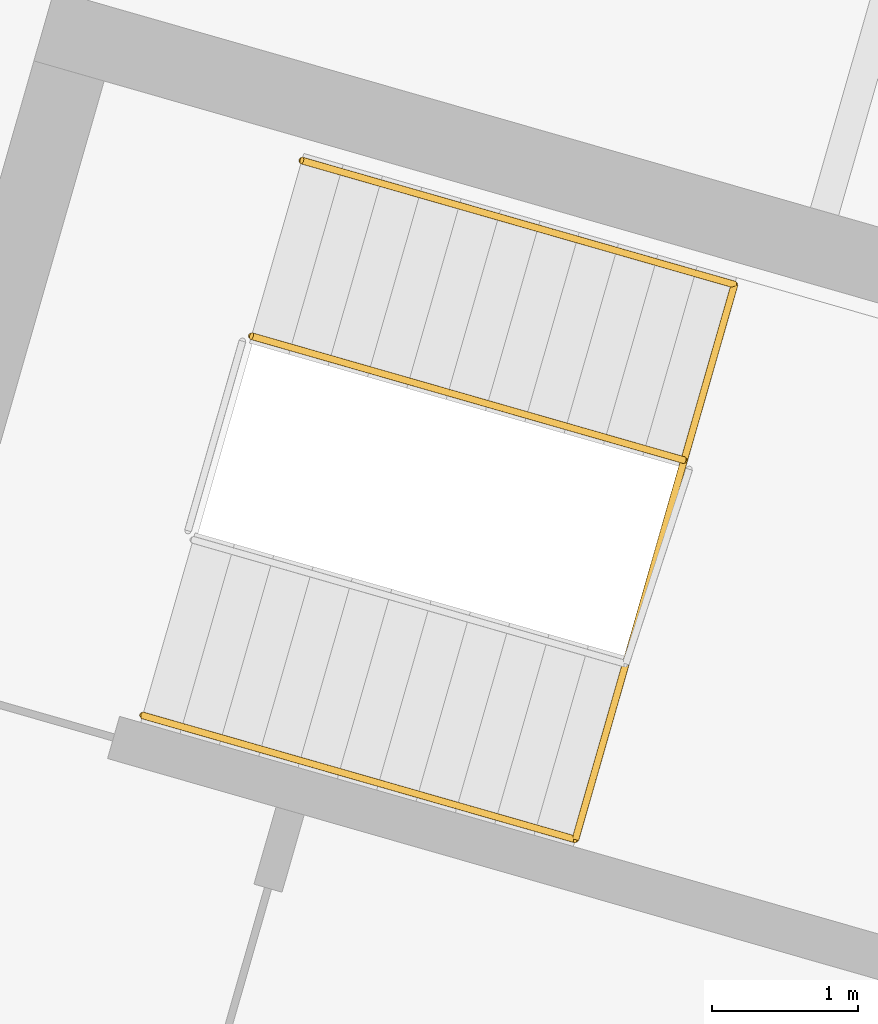
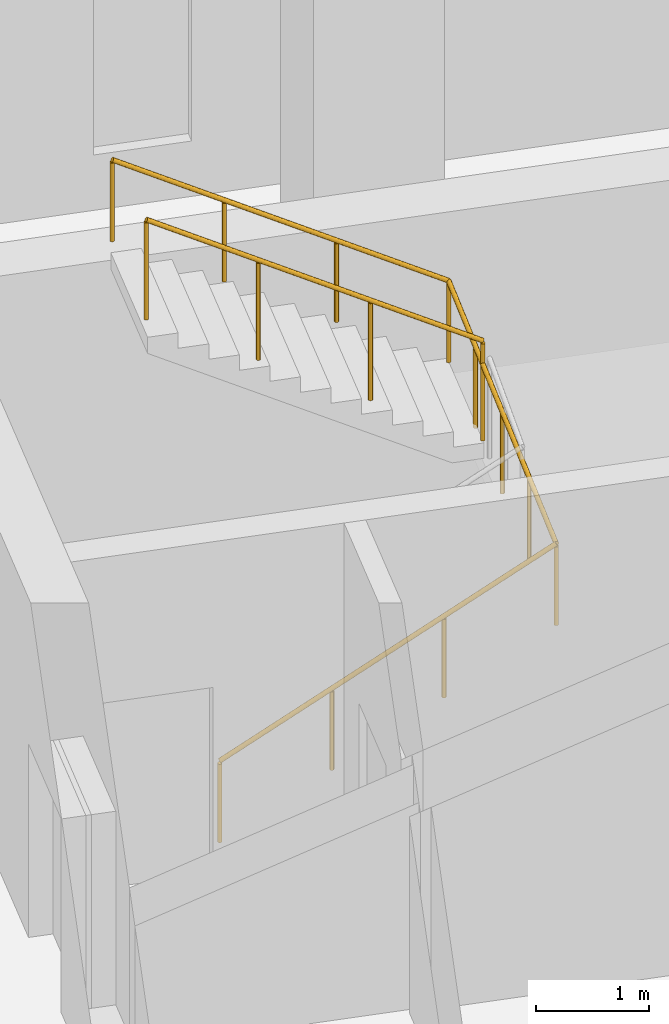
# One storey, part 9 of 9: 2 railings.
"""IFC4 building model written with IfcOpenShell, lengths in metres."""

from ifc_helpers import new_model, si_unit, direction, frame, origin, origin_2d, place, context, subcontext, project, spatial, circle, extrude, material, type_object, element, save


model = new_model("IFC4")

# Units and contexts
model_context = context("Model", 3, precision=1e-05, world=origin(), true_north=direction((0.0, 1.0)))
body_context = subcontext(model_context, "Body", "Model", "MODEL_VIEW")
ifc_project = project(units=[si_unit("LENGTHUNIT", "METRE"), si_unit("AREAUNIT", "SQUARE_METRE"), si_unit("VOLUMEUNIT", "CUBIC_METRE"), si_unit("PLANEANGLEUNIT", "RADIAN"), si_unit("MASSUNIT", "GRAM", prefix="KILO")], contexts=[model_context])

# Site, building, storey
site_placement = place(None, origin())
site = spatial("IfcSite", under=ifc_project, at=site_placement, CompositionType="ELEMENT")
building_placement = place(site_placement, origin())
building = spatial("IfcBuilding", under=site, at=building_placement, Name="Binnacle Exchange Tower", CompositionType="ELEMENT")
storey_placement = place(building_placement, frame((0.0, 0.0, 166.89990234375)))
storey = spatial("IfcBuildingStorey", under=building, at=storey_placement, Name="L35", CompositionType="ELEMENT", Elevation=166.89990234375)

# Railings
ifc_material_1 = material(Name="Steel guard rail", Category="steel")
railing_type_1 = type_object("IfcRailingType", Name="STAIR GUARD 1100", PredefinedType="GUARDRAIL", material=ifc_material_1)
railing_1_placement = place(storey_placement, frame((24.447021484375, 57.255126953125, 2.166748046875)))
element("IfcRailing", 1, at=railing_1_placement, inside=storey, type_object=railing_type_1, Name="L35 STD1 stair guard 2", PredefinedType="GUARDRAIL", context=body_context, shape_type="SweptSolid", body=[
    extrude(circle(Radius=0.02392578125, at=origin_2d()), frame((0.0, 0.0, 1.076171875), z_axis=(-0.826006950853, 0.236897186037, 0.511460888427), x_axis=(-0.27568413623, -0.961248280639, 0.0)), (0.0, 0.0, 1.0), 3.584228515625),
    extrude(circle(Radius=0.02099609375, at=origin_2d()), origin(), (0.0, 0.0, 1.0), 1.052001953125),
    extrude(circle(Radius=0.02099609375, at=origin_2d()), frame((-0.98681640625, 0.282958984375, 0.611083984375)), (0.0, 0.0, 1.0), 1.052001953125),
    extrude(circle(Radius=0.02099609375, at=origin_2d()), frame((-1.973876953125, 0.566162109375, 1.22216796875)), (0.0, 0.0, 1.0), 1.052001953125),
    extrude(circle(Radius=0.02099609375, at=origin_2d()), frame((-2.960693359375, 0.84912109375, 1.833251953125)), (0.0, 0.0, 1.0), 1.052001953125),
])
ifc_material_2 = material(Name="Steel handrail", Category="steel")
railing_type_2 = type_object("IfcRailingType", Name="STAIR HANDRAIL 900", PredefinedType="HANDRAIL", material=ifc_material_2)
railing_2_placement = place(storey_placement, frame((20.7421875, 55.5087890625, 0.166748046875)))
element("IfcRailing", 2, at=railing_2_placement, inside=storey, type_object=railing_type_2, Name="L35 STD1 stair handrail 1", PredefinedType="HANDRAIL", context=body_context, shape_type="SweptSolid", body=[
    extrude(circle(Radius=0.02392578125, at=origin_2d()), frame((0.0, 0.0, 0.8759765625), z_axis=(0.826020277534, -0.236832893954, 0.511469140266), x_axis=(0.275610892984, 0.961269283639, 0.0)), (0.0, 0.0, 1.0), 3.584228515625),
    extrude(circle(Radius=0.02392578125, at=origin_2d()), frame((2.960693359375, -0.848876953125, 2.708984375), z_axis=(0.275365570671, 0.960413849534, 0.042178668932), x_axis=(-0.961269298493, 0.275610841177, 0.0)), (0.0, 0.0, 1.0), 3.953369140625),
    extrude(circle(Radius=0.02392578125, at=origin_2d()), frame((4.04931640625, 2.947998046875, 2.8759765625), z_axis=(-0.826020277534, 0.236832893954, 0.511469140266), x_axis=(-0.275610892984, -0.961269283639, 0.0)), (0.0, 0.0, 1.0), 3.584228515625),
    extrude(circle(Radius=0.02099609375, at=origin_2d()), origin(), (0.0, 0.0, 1.0), 0.851806640625),
    extrude(circle(Radius=0.02099609375, at=origin_2d()), frame((0.98681640625, -0.282958984375, 0.611083984375)), (0.0, 0.0, 1.0), 0.851806640625),
    extrude(circle(Radius=0.02099609375, at=origin_2d()), frame((1.973876953125, -0.56591796875, 1.22216796875)), (0.0, 0.0, 1.0), 0.851806640625),
    extrude(circle(Radius=0.02099609375, at=origin_2d()), frame((2.960693359375, -0.848876953125, 1.833251953125)), (0.0, 0.0, 1.0), 0.851806640625),
    extrude(circle(Radius=0.02099609375, at=origin_2d()), frame((3.23291015625, 0.100341796875, 1.875)), (0.0, 0.0, 1.0), 0.851806640625),
    extrude(circle(Radius=0.02099609375, at=origin_2d()), frame((3.5048828125, 1.049560546875, 1.91650390625)), (0.0, 0.0, 1.0), 0.851806640625),
    extrude(circle(Radius=0.02099609375, at=origin_2d()), frame((3.777099609375, 1.998779296875, 1.958251953125)), (0.0, 0.0, 1.0), 0.851806640625),
    extrude(circle(Radius=0.02099609375, at=origin_2d()), frame((4.04931640625, 2.947998046875, 2.0)), (0.0, 0.0, 1.0), 0.851806640625),
    extrude(circle(Radius=0.02099609375, at=origin_2d()), frame((3.0625, 3.23095703125, 2.611083984375)), (0.0, 0.0, 1.0), 0.851806640625),
    extrude(circle(Radius=0.02099609375, at=origin_2d()), frame((2.075439453125, 3.513916015625, 3.22216796875)), (0.0, 0.0, 1.0), 0.851806640625),
    extrude(circle(Radius=0.02099609375, at=origin_2d()), frame((1.088623046875, 3.796875, 3.833251953125)), (0.0, 0.0, 1.0), 0.851806640625),
])

save(model, "model.ifc")
